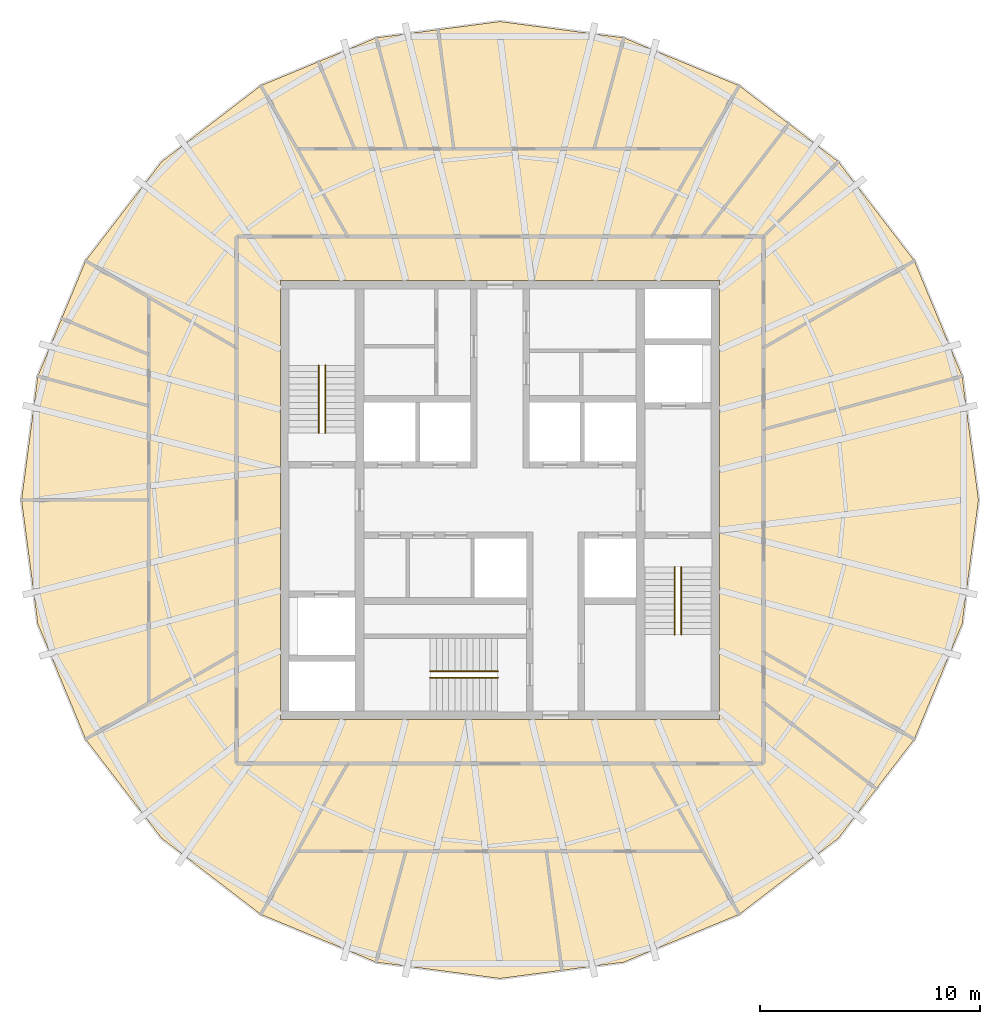
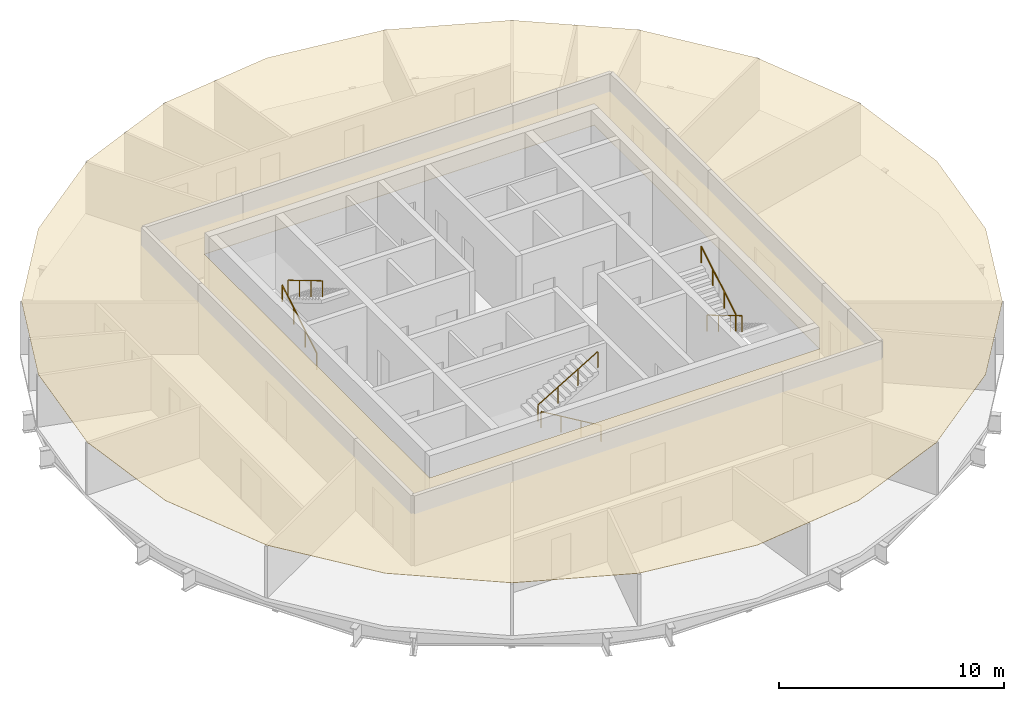
# One storey, part 7 of 7: 6 railings, 1 covering.
"""IFC4 building model written with IfcOpenShell, lengths in metres."""

from ifc_helpers import new_model, si_unit, direction, frame, origin, origin_2d, place, context, subcontext, project, spatial, polyline, circle, outline, extrude, material, layer, layer_set, type_object, element, save


model = new_model("IFC4")

# Units and contexts
model_context = context("Model", 3, precision=1e-05, world=origin(), true_north=direction((0.0, 1.0)))
body_context = subcontext(model_context, "Body", "Model", "MODEL_VIEW")
ifc_project = project(units=[si_unit("LENGTHUNIT", "METRE"), si_unit("AREAUNIT", "SQUARE_METRE"), si_unit("VOLUMEUNIT", "CUBIC_METRE"), si_unit("PLANEANGLEUNIT", "RADIAN"), si_unit("MASSUNIT", "GRAM", prefix="KILO")], contexts=[model_context])

# Site, building, storey
site_placement = place(None, origin())
site = spatial("IfcSite", under=ifc_project, at=site_placement, CompositionType="ELEMENT")
building_placement = place(site_placement, origin())
building = spatial("IfcBuilding", under=site, at=building_placement, Name="Golbaran Civic Tower", CompositionType="ELEMENT")
storey_placement = place(building_placement, frame((0.0, 0.0, 268.0)))
storey = spatial("IfcBuildingStorey", under=building, at=storey_placement, Name="L65", CompositionType="ELEMENT", Elevation=268.0)

# Railings
ifc_material_1 = material(Name="Stainless steel", Category="steel")
railing_type = type_object("IfcRailingType", Name="STAIR HANDRAIL 900", PredefinedType="HANDRAIL", material=ifc_material_1)
railing_1_placement = place(storey_placement, frame((-8.25, 3.050048828125, 0.166748046875)))
element("IfcRailing", 1, at=railing_1_placement, inside=storey, type_object=railing_type, Name="Stair S1 handrail flight 1 L65", PredefinedType="HANDRAIL", context=body_context, shape_type="SweptSolid", body=[
    extrude(circle(Radius=0.02392578125, at=origin_2d()), frame((0.0, 0.0, 0.8759765625), z_axis=(0.0, 0.859290745958, 0.51148745235), x_axis=(-1.0, 0.0, 0.0)), (0.0, 0.0, 1.0), 3.584228515625),
    extrude(circle(Radius=0.02099609375, at=origin_2d()), origin(), (0.0, 0.0, 1.0), 0.851806640625),
    extrude(circle(Radius=0.02099609375, at=origin_2d()), frame((0.0, 1.026611328125, 0.611083984375)), (0.0, 0.0, 1.0), 0.851806640625),
    extrude(circle(Radius=0.02099609375, at=origin_2d()), frame((0.0, 2.05322265625, 1.22216796875)), (0.0, 0.0, 1.0), 0.851806640625),
    extrude(circle(Radius=0.02099609375, at=origin_2d()), frame((0.0, 3.079833984375, 1.833251953125)), (0.0, 0.0, 1.0), 0.851806640625),
])
for number, where, name in (
    (2, (-7.949951171875, 6.1298828125, 2.166748046875), "Stair S1 handrail flight 2 L65"),
    (3, (8.25, -3.050048828125, 0.166748046875), "Stair S2 handrail flight 1 L65"),
):
    element("IfcRailing", number, at=place(storey_placement, frame(where)), inside=storey, type_object=railing_type, Name=name, PredefinedType="HANDRAIL", context=body_context, shape_type="SweptSolid", body=[
        extrude(circle(Radius=0.02392578125, at=origin_2d()), frame((0.0, 0.0, 0.8759765625), z_axis=(0.0, -0.859290745958, 0.51148745235), x_axis=(1.0, 0.0, 0.0)), (0.0, 0.0, 1.0), 3.584228515625),
        extrude(circle(Radius=0.02099609375, at=origin_2d()), origin(), (0.0, 0.0, 1.0), 0.851806640625),
        extrude(circle(Radius=0.02099609375, at=origin_2d()), frame((0.0, -1.026611328125, 0.611083984375)), (0.0, 0.0, 1.0), 0.851806640625),
        extrude(circle(Radius=0.02099609375, at=origin_2d()), frame((0.0, -2.05322265625, 1.22216796875)), (0.0, 0.0, 1.0), 0.851806640625),
        extrude(circle(Radius=0.02099609375, at=origin_2d()), frame((0.0, -3.079833984375, 1.833251953125)), (0.0, 0.0, 1.0), 0.851806640625),
    ])
railing_2_placement = place(storey_placement, frame((7.949951171875, -6.1298828125, 2.166748046875)))
element("IfcRailing", 4, at=railing_2_placement, inside=storey, type_object=railing_type, Name="Stair S2 handrail flight 2 L65", PredefinedType="HANDRAIL", context=body_context, shape_type="SweptSolid", body=[
    extrude(circle(Radius=0.02392578125, at=origin_2d()), frame((0.0, 0.0, 0.8759765625), z_axis=(0.0, 0.859290745958, 0.51148745235), x_axis=(-1.0, 0.0, 0.0)), (0.0, 0.0, 1.0), 3.584228515625),
    extrude(circle(Radius=0.02099609375, at=origin_2d()), origin(), (0.0, 0.0, 1.0), 0.851806640625),
    extrude(circle(Radius=0.02099609375, at=origin_2d()), frame((0.0, 1.026611328125, 0.611083984375)), (0.0, 0.0, 1.0), 0.851806640625),
    extrude(circle(Radius=0.02099609375, at=origin_2d()), frame((0.0, 2.05322265625, 1.22216796875)), (0.0, 0.0, 1.0), 0.851806640625),
    extrude(circle(Radius=0.02099609375, at=origin_2d()), frame((0.0, 3.079833984375, 1.833251953125)), (0.0, 0.0, 1.0), 0.851806640625),
])
railing_3_placement = place(storey_placement, frame((-0.10009765625, -8.10009765625, 0.166748046875)))
element("IfcRailing", 5, at=railing_3_placement, inside=storey, type_object=railing_type, Name="Stair S3 handrail flight 1 L65", PredefinedType="HANDRAIL", context=body_context, shape_type="SweptSolid", body=[
    extrude(circle(Radius=0.02392578125, at=origin_2d()), frame((0.0, 0.0, 0.8759765625), z_axis=(-0.859290745958, 0.0, 0.51148745235), x_axis=(0.0, -1.0, 0.0)), (0.0, 0.0, 1.0), 3.584228515625),
    extrude(circle(Radius=0.02099609375, at=origin_2d()), origin(), (0.0, 0.0, 1.0), 0.851806640625),
    extrude(circle(Radius=0.02099609375, at=origin_2d()), frame((-1.026611328125, 0.0, 0.611083984375)), (0.0, 0.0, 1.0), 0.851806640625),
    extrude(circle(Radius=0.02099609375, at=origin_2d()), frame((-2.05322265625, 0.0, 1.22216796875)), (0.0, 0.0, 1.0), 0.851806640625),
    extrude(circle(Radius=0.02099609375, at=origin_2d()), frame((-3.079833984375, 0.0, 1.833251953125)), (0.0, 0.0, 1.0), 0.851806640625),
])
railing_4_placement = place(storey_placement, frame((-3.179931640625, -7.800048828125, 2.166748046875)))
element("IfcRailing", 6, at=railing_4_placement, inside=storey, type_object=railing_type, Name="Stair S3 handrail flight 2 L65", PredefinedType="HANDRAIL", context=body_context, shape_type="SweptSolid", body=[
    extrude(circle(Radius=0.02392578125, at=origin_2d()), frame((0.0, 0.0, 0.8759765625), z_axis=(0.859290745958, 0.0, 0.51148745235), x_axis=(0.0, 1.0, 0.0)), (0.0, 0.0, 1.0), 3.584228515625),
    extrude(circle(Radius=0.02099609375, at=origin_2d()), origin(), (0.0, 0.0, 1.0), 0.851806640625),
    extrude(circle(Radius=0.02099609375, at=origin_2d()), frame((1.026611328125, 0.0, 0.611083984375)), (0.0, 0.0, 1.0), 0.851806640625),
    extrude(circle(Radius=0.02099609375, at=origin_2d()), frame((2.05322265625, 0.0, 1.22216796875)), (0.0, 0.0, 1.0), 0.851806640625),
    extrude(circle(Radius=0.02099609375, at=origin_2d()), frame((3.079833984375, 0.0, 1.833251953125)), (0.0, 0.0, 1.0), 0.851806640625),
])

# Covering
ifc_material_2 = material(Name="Mineral fibre tile on steel grid", Category="steel")
ifc_layer = layer(ifc_material_2, 0.02001953125, Name="Mineral fibre tile on steel grid")
ifc_layer_set = layer_set([ifc_layer], Name="Mineral fibre tile on steel grid")
covering_type = type_object("IfcCoveringType", Name="SUSPENDED CEILING 600 TILE 20", PredefinedType="CEILING", material=ifc_layer_set)
covering_placement = place(storey_placement, frame((0.0, 0.0, 2.800048828125)))
element("IfcCovering", 7, at=covering_placement, inside=storey, type_object=covering_type, Name="Suspended ceiling L65", PredefinedType="CEILING", context=body_context, shape_type="SweptSolid", body=[
    extrude(outline(polyline([(-18.869873046875, 10.89453125), (-15.4072265625, 15.4072265625), (-10.89453125, 18.869873046875), (-5.639404296875, 21.046630859375), (-2.968505859375, 21.398193359375), (0.0, 21.7890625), (5.639404296875, 21.046630859375), (10.89453125, 18.869873046875), (15.4072265625, 15.4072265625), (18.869873046875, 10.89453125), (21.046630859375, 5.639404296875), (21.7890625, 0.0), (21.046630859375, -5.639404296875), (18.869873046875, -10.89453125), (15.4072265625, -15.4072265625), (10.89453125, -18.869873046875), (5.639404296875, -21.046630859375), (2.968505859375, -21.398193359375), (0.0, -21.7890625), (-5.639404296875, -21.046630859375), (-10.89453125, -18.869873046875), (-15.4072265625, -15.4072265625), (-18.869873046875, -10.89453125), (-21.046630859375, -5.639404296875), (-21.7890625, 0.0), (-21.046630859375, 5.639404296875), (-18.869873046875, 10.89453125)]), holes=[polyline([(-10.0, 10.0), (-10.0, -10.0), (10.0, -10.0), (10.0, 10.0), (-10.0, 10.0)])]), origin(), (0.0, 0.0, 1.0), 0.02001953125),
])

save(model, "model.ifc")
